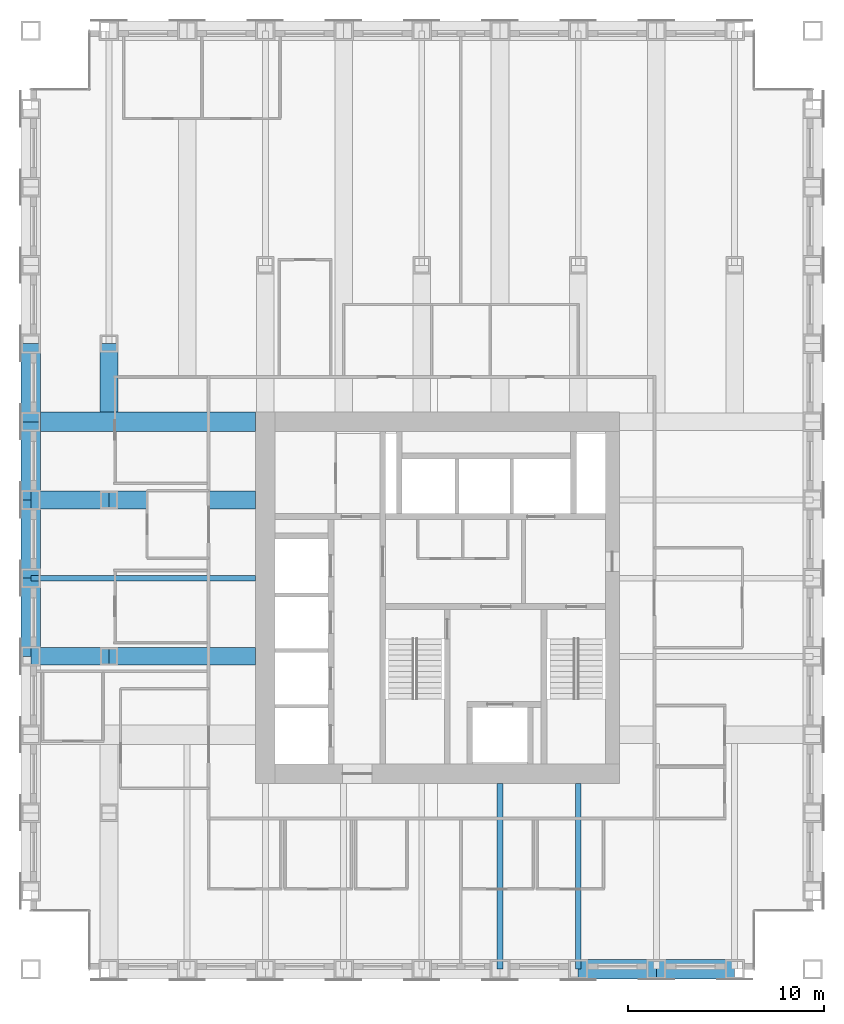
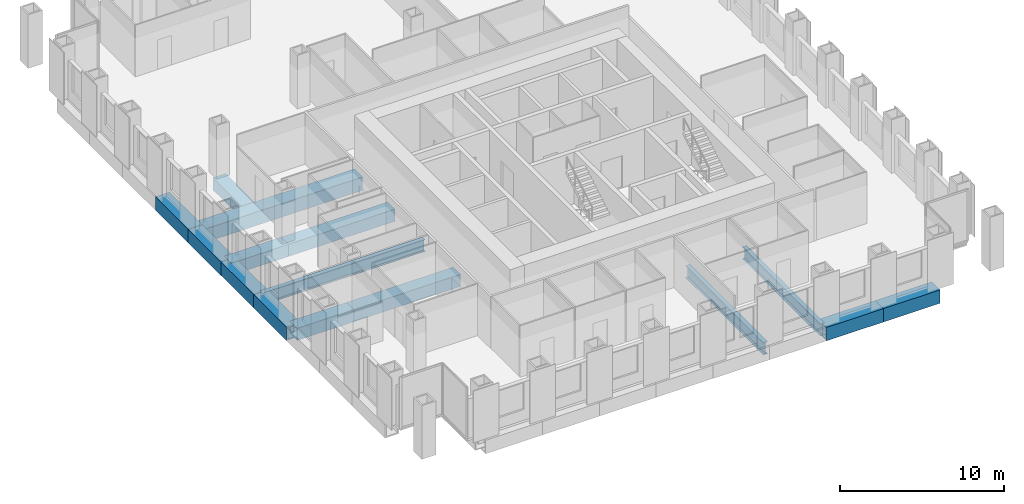
# One storey, part 3 of 14: 15 beams.
"""IFC4 building model written with IfcOpenShell, lengths in metres."""

from ifc_helpers import new_model, si_unit, direction, frame, origin, origin_2d, place, context, subcontext, project, spatial, hollow_rectangle, i_section, extrude, material, material_profile, profile_set, type_object, element, save


model = new_model("IFC4")

# Units and contexts
model_context = context("Model", 3, precision=1e-05, world=origin(), true_north=direction((0.0, 1.0)))
body_context = subcontext(model_context, "Body", "Model", "MODEL_VIEW")
ifc_project = project(units=[si_unit("LENGTHUNIT", "METRE"), si_unit("AREAUNIT", "SQUARE_METRE"), si_unit("VOLUMEUNIT", "CUBIC_METRE"), si_unit("PLANEANGLEUNIT", "RADIAN"), si_unit("MASSUNIT", "GRAM", prefix="KILO")], contexts=[model_context])

# Site, building, storey
site_placement = place(None, origin())
site = spatial("IfcSite", under=ifc_project, at=site_placement, CompositionType="ELEMENT")
building_placement = place(site_placement, origin())
building = spatial("IfcBuilding", under=site, at=building_placement, Name="Rimbunsela Tower", CompositionType="ELEMENT")
storey_placement = place(building_placement, frame((0.0, 0.0, 183.800048828125)))
storey = spatial("IfcBuildingStorey", under=building, at=storey_placement, Name="L44", CompositionType="ELEMENT", Elevation=183.800048828125)

# Beams
ifc_material_1 = material(Name="Steel BJ 55 (fy 410 MPa)", Category="steel")
ifc_material_profile_1 = material_profile(ifc_material_1, hollow_rectangle(XDim=1.0, YDim=1.0, WallThickness=0.10009765625, at=origin_2d()), Name="BOX 1000x1000x100")
ifc_profile_set_1 = profile_set([ifc_material_profile_1], Name="Steel BJ 55 (fy 410 MPa)")
beam_type_1 = type_object("IfcBeamType", Name="Beam BOX 1000x1000x100", PredefinedType="BEAM", material=ifc_profile_set_1)
for number, where, z_axis, x_axis, name in (
    (1, (6.0, 24.0, -0.650146484375), (0.0, 1.0, 0.0), (-1.0, 0.0, 0.0), "Beam B3 L44"),
    (2, (6.0, 28.0, -0.650146484375), (0.0, 1.0, 0.0), (-1.0, 0.0, 0.0), "Beam B3 L44"),
    (3, (6.0, 32.0, -0.650146484375), (0.0, 1.0, 0.0), (-1.0, 0.0, 0.0), "Beam B3 L44"),
    (4, (6.0, 36.0, -0.650146484375), (0.0, 1.0, 0.0), (-1.0, 0.0, 0.0), "Beam B3 L44"),
):
    element("IfcBeam", number, at=place(storey_placement, frame(where, z_axis=z_axis, x_axis=x_axis)), inside=storey, type_object=beam_type_1, Name=name, PredefinedType="BEAM", context=body_context, shape_type="SweptSolid", body=[
        extrude(hollow_rectangle(XDim=1.0, YDim=1.0, WallThickness=0.10009765625, at=origin_2d()), origin(), (0.0, 0.0, 1.0), 4.0),
    ])
beam_1_placement = place(storey_placement, frame((6.0, 36.0, -0.650146484375), z_axis=(1.0, 0.0, 0.0), x_axis=(0.0, 1.0, 0.0)))
element("IfcBeam", 5, at=beam_1_placement, inside=storey, type_object=beam_type_1, Name="Beam B3 L44", PredefinedType="BEAM", context=body_context, shape_type="SweptSolid", body=[
    extrude(hollow_rectangle(XDim=1.0, YDim=1.0, WallThickness=0.10009765625, at=origin_2d()), origin(), (0.0, 0.0, 1.0), 11.5),
])
for number, where, z_axis, x_axis, name in (
    (6, (34.0, 8.0, -0.650146484375), (1.0, 0.0, 0.0), (0.0, 1.0, 0.0), "Beam B3 L44"),
    (7, (38.0, 8.0, -0.650146484375), (1.0, 0.0, 0.0), (0.0, 1.0, 0.0), "Beam B3 L44"),
):
    element("IfcBeam", number, at=place(storey_placement, frame(where, z_axis=z_axis, x_axis=x_axis)), inside=storey, type_object=beam_type_1, Name=name, PredefinedType="BEAM", context=body_context, shape_type="SweptSolid", body=[
        extrude(hollow_rectangle(XDim=1.0, YDim=1.0, WallThickness=0.10009765625, at=origin_2d()), origin(), (0.0, 0.0, 1.0), 4.0),
    ])
ifc_material_2 = material(Name="Steel BJ 55 (fy 410 MPa)", Category="steel")
ifc_material_profile_2 = material_profile(ifc_material_2, hollow_rectangle(XDim=0.89990234375, YDim=0.89990234375, WallThickness=0.06005859375, at=origin_2d()), Name="BOX 900x900x60")
ifc_profile_set_2 = profile_set([ifc_material_profile_2], Name="Steel BJ 55 (fy 410 MPa)")
beam_type_2 = type_object("IfcBeamType", Name="Beam BOX 900x900x60", PredefinedType="BEAM", material=ifc_profile_set_2)
for number, where, z_axis, x_axis, name in (
    (8, (6.0, 24.0, -0.60009765625), (1.0, 0.0, 0.0), (0.0, 1.0, 0.0), "Beam B1 L44"),
    (9, (6.0, 32.0, -0.60009765625), (1.0, 0.0, 0.0), (0.0, 1.0, 0.0), "Beam B1 L44"),
):
    element("IfcBeam", number, at=place(storey_placement, frame(where, z_axis=z_axis, x_axis=x_axis)), inside=storey, type_object=beam_type_2, Name=name, PredefinedType="BEAM", context=body_context, shape_type="SweptSolid", body=[
        extrude(hollow_rectangle(XDim=0.89990234375, YDim=0.89990234375, WallThickness=0.06005859375, at=origin_2d()), origin(), (0.0, 0.0, 1.0), 4.0),
    ])
for number, where, z_axis, x_axis, name in (
    (10, (10.0, 24.0, -0.60009765625), (1.0, 0.0, 0.0), (0.0, 1.0, 0.0), "Beam B1 L44"),
    (11, (10.0, 32.0, -0.60009765625), (1.0, 0.0, 0.0), (0.0, 1.0, 0.0), "Beam B1 L44"),
):
    element("IfcBeam", number, at=place(storey_placement, frame(where, z_axis=z_axis, x_axis=x_axis)), inside=storey, type_object=beam_type_2, Name=name, PredefinedType="BEAM", context=body_context, shape_type="SweptSolid", body=[
        extrude(hollow_rectangle(XDim=0.89990234375, YDim=0.89990234375, WallThickness=0.06005859375, at=origin_2d()), origin(), (0.0, 0.0, 1.0), 7.5),
    ])
beam_2_placement = place(storey_placement, frame((10.0, 36.5, -0.60009765625), z_axis=(0.0, 1.0, 0.0), x_axis=(-1.0, 0.0, 0.0)))
element("IfcBeam", 12, at=beam_2_placement, inside=storey, type_object=beam_type_2, Name="Beam B1 L44", PredefinedType="BEAM", context=body_context, shape_type="SweptSolid", body=[
    extrude(hollow_rectangle(XDim=0.89990234375, YDim=0.89990234375, WallThickness=0.06005859375, at=origin_2d()), origin(), (0.0, 0.0, 1.0), 3.5),
])
ifc_material_3 = material(Name="Steel BJ 55 (fy 410 MPa)", Category="steel")
ifc_material_profile_3 = material_profile(ifc_material_3, i_section(OverallWidth=0.300048828125, OverallDepth=0.89990234375, WebThickness=0.01611328125, FlangeThickness=0.028076171875, FilletRadius=0.028076171875, at=origin_2d()), Name="H 900x300x16x28")
ifc_profile_set_3 = profile_set([ifc_material_profile_3], Name="Steel BJ 55 (fy 410 MPa)")
beam_type_3 = type_object("IfcBeamType", Name="Beam H 900x300x16x28", PredefinedType="BEAM", material=ifc_profile_set_3)
beam_3_placement = place(storey_placement, frame((6.0, 28.0, -0.60009765625), z_axis=(1.0, 0.0, 0.0), x_axis=(0.0, 1.0, 0.0)))
element("IfcBeam", 13, at=beam_3_placement, inside=storey, type_object=beam_type_3, Name="Beam B2 L44", PredefinedType="BEAM", context=body_context, shape_type="SweptSolid", body=[
    extrude(i_section(OverallWidth=0.300048828125, OverallDepth=0.89990234375, WebThickness=0.01611328125, FlangeThickness=0.028076171875, FilletRadius=0.028076171875, at=origin_2d()), origin(), (0.0, 0.0, 1.0), 11.5),
])
for number, where, z_axis, x_axis, name in (
    (14, (30.0, 8.0, -0.60009765625), (0.0, 1.0, 0.0), (-1.0, 0.0, 0.0), "Beam B2 L44"),
    (15, (34.0, 8.0, -0.60009765625), (0.0, 1.0, 0.0), (-1.0, 0.0, 0.0), "Beam B2 L44"),
):
    element("IfcBeam", number, at=place(storey_placement, frame(where, z_axis=z_axis, x_axis=x_axis)), inside=storey, type_object=beam_type_3, Name=name, PredefinedType="BEAM", context=body_context, shape_type="SweptSolid", body=[
        extrude(i_section(OverallWidth=0.300048828125, OverallDepth=0.89990234375, WebThickness=0.01611328125, FlangeThickness=0.028076171875, FilletRadius=0.028076171875, at=origin_2d()), origin(), (0.0, 0.0, 1.0), 9.5),
    ])

save(model, "model.ifc")
